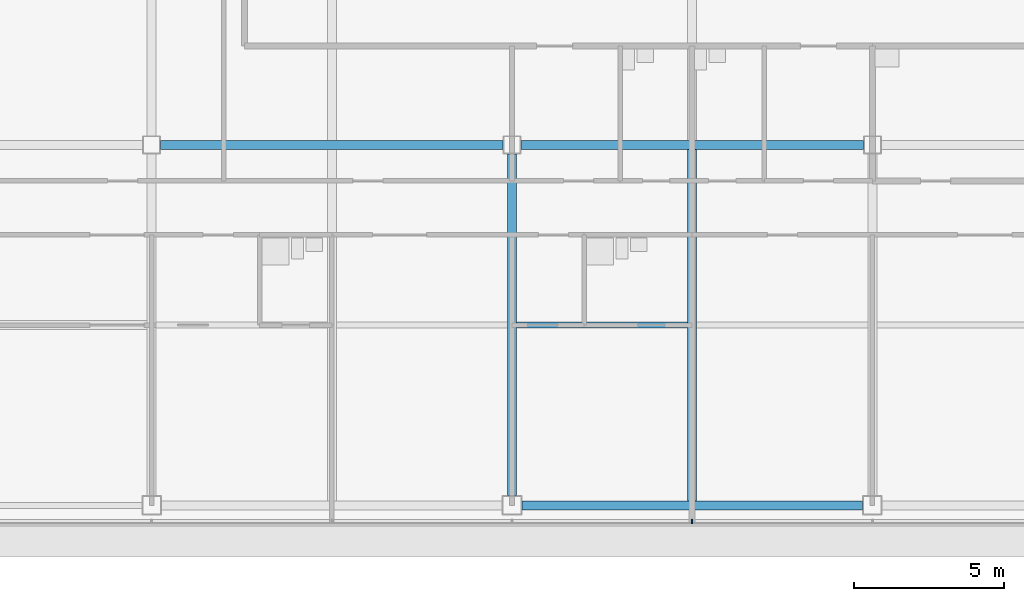
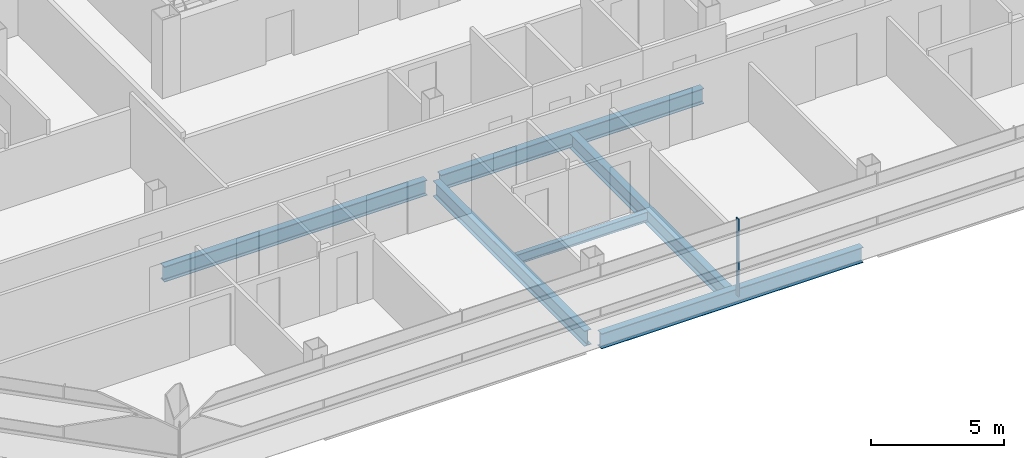
# One storey, part 3 of 27: 6 beams, 1 member, 1 element without a shape of its own.
"""IFC4 building model written with IfcOpenShell, lengths in metres."""

from ifc_helpers import new_model, si_unit, direction, frame, origin, origin_2d, place, context, subcontext, project, spatial, rectangle, i_section, extrude, material, material_profile, profile_set, type_object, element, aggregate, save


model = new_model("IFC4")

# Units and contexts
model_context = context("Model", 3, precision=1e-05, world=origin(), true_north=direction((0.0, 1.0)))
body_context = subcontext(model_context, "Body", "Model", "MODEL_VIEW")
ifc_project = project(units=[si_unit("LENGTHUNIT", "METRE"), si_unit("AREAUNIT", "SQUARE_METRE"), si_unit("VOLUMEUNIT", "CUBIC_METRE"), si_unit("PLANEANGLEUNIT", "RADIAN"), si_unit("MASSUNIT", "GRAM", prefix="KILO")], contexts=[model_context])

# Site, building, storey
site_placement = place(None, origin())
site = spatial("IfcSite", under=ifc_project, at=site_placement, CompositionType="ELEMENT")
building_placement = place(site_placement, origin())
building = spatial("IfcBuilding", under=site, at=building_placement, Name="Sorahane Residences", CompositionType="ELEMENT")
storey_placement = place(building_placement, frame((0.0, 0.0, 206.39990234375)))
storey = spatial("IfcBuildingStorey", under=building, at=storey_placement, Name="L48", CompositionType="ELEMENT", Elevation=206.39990234375)

# Curtain wall, member
ifc_material_1 = material(Name="Dark low-e glass and black anodised aluminium", Category="aluminium")
curtain_wall_type = type_object("IfcCurtainWallType", Name="Curtain wall CW-1 Typical unitised wall", PredefinedType="NOTDEFINED", material=ifc_material_1)
curtain_wall_placement = place(storey_placement, origin())
curtain_wall = element("IfcCurtainWall", 1, at=curtain_wall_placement, inside=storey, type_object=curtain_wall_type, Name="CW-1 curtain wall L48 S1", PredefinedType="NOTDEFINED")
ifc_material_2 = material(Name="Black anodised aluminium", Category="aluminium")
ifc_material_profile_1 = material_profile(ifc_material_2, rectangle(XDim=0.159912109375, YDim=0.050048828125, at=origin_2d()), Name="Curtain wall mullion CW-1 black anodised aluminium 50x160")
ifc_profile_set_1 = profile_set([ifc_material_profile_1], Name="Black anodised aluminium")
member_type = type_object("IfcMemberType", Name="Curtain wall mullion CW-1 black anodised aluminium 50x160", PredefinedType="MULLION", material=ifc_profile_set_1)
member_placement = place(storey_placement, frame((18.0, -0.5400390625, -0.179931640625), z_axis=(0.0, 0.0, 1.0), x_axis=(0.0, -1.0, 0.0)))
member = element("IfcMember", 2, at=member_placement, type_object=member_type, Name="CW-1 mullion L48 S1.5", PredefinedType="MULLION", context=body_context, shape_type="SweptSolid", body=[
    extrude(rectangle(XDim=0.159912109375, YDim=0.050048828125, at=origin_2d()), origin(), (0.0, 0.0, 1.0), 3.56005859375),
])
aggregate(curtain_wall, [member])

# Beams
ifc_material_3 = material(Name="Steel Q355B", Category="steel")
ifc_material_profile_2 = material_profile(ifc_material_3, i_section(OverallWidth=0.199951171875, OverallDepth=0.449951171875, WebThickness=0.009033203125, FlangeThickness=0.013916015625, FilletRadius=0.02001953125, at=origin_2d()), Name="HN 450x200x9x14")
ifc_profile_set_2 = profile_set([ifc_material_profile_2], Name="Steel Q355B")
beam_type_1 = type_object("IfcBeamType", Name="Steel floor beam HN 450x200x9x14 Q355B", PredefinedType="BEAM", material=ifc_profile_set_2)
beam_1_placement = place(storey_placement, frame((12.14990234375, 6.0, -0.40478515625), z_axis=(1.0, 0.0, 0.0), x_axis=(0.0, 1.0, 0.0)))
element("IfcBeam", 3, at=beam_1_placement, inside=storey, type_object=beam_type_1, Name="Beam L48 071", PredefinedType="BEAM", context=body_context, shape_type="SweptSolid", body=[
    extrude(i_section(OverallWidth=0.199951171875, OverallDepth=0.449951171875, WebThickness=0.009033203125, FlangeThickness=0.013916015625, FilletRadius=0.02001953125, at=origin_2d()), origin(), (0.0, 0.0, 1.0), 5.7001953125),
])
ifc_material_4 = material(Name="Steel Q355B", Category="steel")
ifc_material_profile_3 = material_profile(ifc_material_4, i_section(OverallWidth=0.300048828125, OverallDepth=0.699951171875, WebThickness=0.012939453125, FlangeThickness=0.02392578125, FilletRadius=0.028076171875, at=origin_2d()), Name="HN 700x300x13x24")
ifc_profile_set_3 = profile_set([ifc_material_profile_3], Name="Steel Q355B")
beam_type_2 = type_object("IfcBeamType", Name="Steel floor beam HN 700x300x13x24 Q355B", PredefinedType="BEAM", material=ifc_profile_set_3)
beam_2_placement = place(storey_placement, frame((12.324951171875, 0.0, -0.52978515625), z_axis=(1.0, 0.0, 0.0), x_axis=(0.0, 1.0, 0.0)))
element("IfcBeam", 4, at=beam_2_placement, inside=storey, type_object=beam_type_2, Name="Beam L48 002", PredefinedType="BEAM", context=body_context, shape_type="SweptSolid", body=[
    extrude(i_section(OverallWidth=0.300048828125, OverallDepth=0.699951171875, WebThickness=0.012939453125, FlangeThickness=0.02392578125, FilletRadius=0.028076171875, at=origin_2d()), origin(), (0.0, 0.0, 1.0), 11.35009765625),
])
for number, where, z_axis, x_axis, name in (
    (5, (0.300048828125, 12.0, -0.52978515625), (1.0, 0.0, 0.0), (0.0, 1.0, 0.0), "Beam L48 006"),
    (6, (12.300048828125, 12.0, -0.52978515625), (1.0, 0.0, 0.0), (0.0, 1.0, 0.0), "Beam L48 007"),
):
    element("IfcBeam", number, at=place(storey_placement, frame(where, z_axis=z_axis, x_axis=x_axis)), inside=storey, type_object=beam_type_2, Name=name, PredefinedType="BEAM", context=body_context, shape_type="SweptSolid", body=[
        extrude(i_section(OverallWidth=0.300048828125, OverallDepth=0.699951171875, WebThickness=0.012939453125, FlangeThickness=0.02392578125, FilletRadius=0.028076171875, at=origin_2d()), origin(), (0.0, 0.0, 1.0), 11.39990234375),
    ])
beam_3_placement = place(storey_placement, frame((12.0, 0.324951171875, -0.52978515625), z_axis=(0.0, 1.0, 0.0), x_axis=(-1.0, 0.0, 0.0)))
element("IfcBeam", 7, at=beam_3_placement, inside=storey, type_object=beam_type_2, Name="Beam L48 034", PredefinedType="BEAM", context=body_context, shape_type="SweptSolid", body=[
    extrude(i_section(OverallWidth=0.300048828125, OverallDepth=0.699951171875, WebThickness=0.012939453125, FlangeThickness=0.02392578125, FilletRadius=0.028076171875, at=origin_2d()), origin(), (0.0, 0.0, 1.0), 11.375),
])
beam_4_placement = place(storey_placement, frame((18.0, 0.14990234375, -0.52978515625), z_axis=(0.0, 1.0, 0.0), x_axis=(-1.0, 0.0, 0.0)))
element("IfcBeam", 8, at=beam_4_placement, inside=storey, type_object=beam_type_2, Name="Beam L48 036", PredefinedType="BEAM", context=body_context, shape_type="SweptSolid", body=[
    extrude(i_section(OverallWidth=0.300048828125, OverallDepth=0.699951171875, WebThickness=0.012939453125, FlangeThickness=0.02392578125, FilletRadius=0.028076171875, at=origin_2d()), origin(), (0.0, 0.0, 1.0), 11.7001953125),
])

save(model, "model.ifc")
